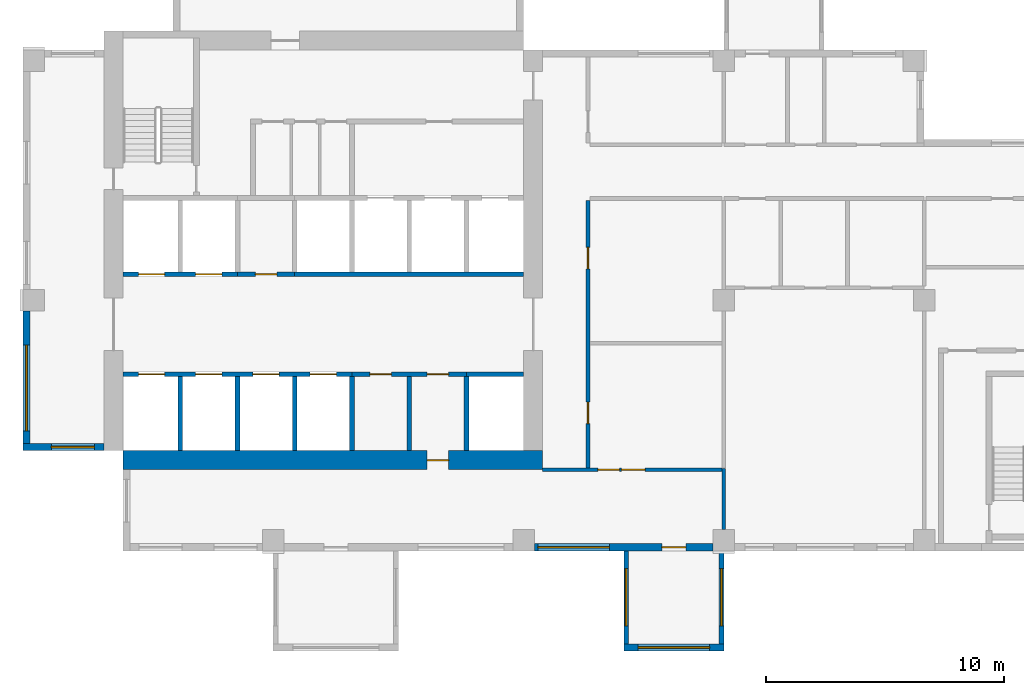
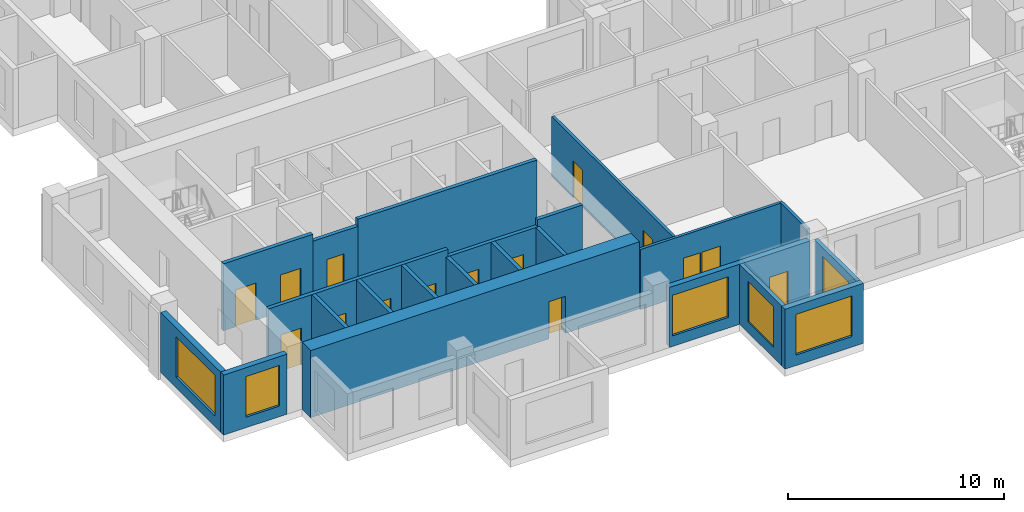
# One storey, part 2 of 12: 22 walls, 15 doors, 6 windows, 21 openings.
"""IFC4 building model written with IfcOpenShell, lengths in metres."""

from ifc_helpers import new_model, si_unit, direction, frame, frame_2d, origin, place, context, subcontext, project, spatial, rectangle, extrude, source, transform, mapped, material, layer, layer_set, type_object, element, fill, save


model = new_model("IFC4")

# Units and contexts
model_context = context("Model", 3, precision=1e-05, world=origin(), true_north=direction((0.0, 1.0)))
body_context = subcontext(model_context, "Body", "Model", "MODEL_VIEW")
ifc_project = project(units=[si_unit("LENGTHUNIT", "METRE"), si_unit("AREAUNIT", "SQUARE_METRE"), si_unit("VOLUMEUNIT", "CUBIC_METRE"), si_unit("PLANEANGLEUNIT", "RADIAN"), si_unit("MASSUNIT", "GRAM", prefix="KILO")], contexts=[model_context])

# Site, building, storey
site_placement = place(None, origin())
site = spatial("IfcSite", under=ifc_project, at=site_placement, CompositionType="ELEMENT")
building_placement = place(site_placement, origin())
building = spatial("IfcBuilding", under=site, at=building_placement, Name="Aurelian Terraces", CompositionType="ELEMENT")
storey_placement = place(building_placement, frame((0.0, 0.0, 196.8)))
storey = spatial("IfcBuildingStorey", under=building, at=storey_placement, Name="L43", CompositionType="ELEMENT", Elevation=196.8)

# Wall, openings, doors
ifc_material_1 = material(Name="Gypsum board on steel studs", Category="steel")
ifc_layer_1 = layer(ifc_material_1, 0.15)
ifc_layer_set_1 = layer_set([ifc_layer_1], Name="Partition 150")
wall_type_1 = type_object("IfcWallType", Name="Partition 150", PredefinedType="PARTITIONING", material=ifc_layer_set_1)
wall_1_placement = place(storey_placement, frame((23.7, 14.7, 0.0), z_axis=(0.0, 0.0, 1.0), x_axis=(0.0, -1.0, 0.0)))
wall_1 = element("IfcWall", 1, at=wall_1_placement, inside=storey, type_object=wall_type_1, Name="Partition", PredefinedType="PARTITIONING", context=body_context, shape_type="SweptSolid", body=[
    extrude(rectangle(XDim=11.225, YDim=0.15, at=frame_2d((5.6125, 0.0))), origin(), (0.0, 0.0, 1.0), 3.4),
])
shared_shape_1 = source(origin(), body_context, "Body", "SweptSolid", [
    extrude(rectangle(XDim=0.9, YDim=2.1, at=frame_2d((0.45, 1.05))), frame((0.0, 0.085, 0.0), z_axis=(0.0, -1.0, 0.0), x_axis=(1.0, 0.0, 0.0)), (0.0, 0.0, 1.0), 0.17),
])
opening_1_placement = place(wall_1_placement, frame((8.4625, 0.0, 0.0)))
opening_1 = element("IfcOpeningElement", 2, at=opening_1_placement, cuts=wall_1, Name="Opening 743001", PredefinedType="OPENING", context=body_context, shape_type="MappedRepresentation", body=[
    mapped(shared_shape_1, transform((0.0, 0.0, 0.0), scale=1.0)),
])
opening_2_placement = place(wall_1_placement, frame((1.975, 0.0, 0.0)))
opening_2 = element("IfcOpeningElement", 3, at=opening_2_placement, cuts=wall_1, Name="Opening 743002", PredefinedType="OPENING", context=body_context, shape_type="MappedRepresentation", body=[
    mapped(shared_shape_1, transform((0.0, 0.0, 0.0), scale=1.0)),
])
ifc_material_2 = material(Name="Timber door leaf", Category="wood")
door_type_1 = type_object("IfcDoorType", Name="Room door 900x2100 right", OperationType="SINGLE_SWING_RIGHT", PredefinedType="DOOR", material=ifc_material_2)
shared_shape_2 = source(origin(), body_context, "Body", "SweptSolid", [
    extrude(rectangle(XDim=0.9, YDim=2.1, at=frame_2d((0.45, 1.05))), frame((0.0, 0.025, 0.0), z_axis=(0.0, -1.0, 0.0), x_axis=(1.0, 0.0, 0.0)), (0.0, 0.0, 1.0), 0.05),
])
door_1_placement = place(opening_1_placement, origin())
door_1 = element("IfcDoor", 4, at=door_1_placement, inside=storey, type_object=door_type_1, Name="Door 743001", OperationType="SINGLE_SWING_RIGHT", OverallHeight=2.1, OverallWidth=0.9, PredefinedType="DOOR", context=body_context, shape_type="MappedRepresentation", body=[
    mapped(shared_shape_2, transform((0.0, 0.0, 0.0), scale=1.0)),
])
fill(opening_1, door_1)
door_type_2 = type_object("IfcDoorType", Name="Room door 900x2100 left", OperationType="SINGLE_SWING_LEFT", PredefinedType="DOOR", material=ifc_material_2)
door_2_placement = place(opening_2_placement, origin())
door_2 = element("IfcDoor", 5, at=door_2_placement, inside=storey, type_object=door_type_2, Name="Door 743002", OperationType="SINGLE_SWING_LEFT", OverallHeight=2.1, OverallWidth=0.9, PredefinedType="DOOR", context=body_context, shape_type="MappedRepresentation", body=[
    mapped(shared_shape_2, transform((0.0, 0.0, 0.0), scale=1.0)),
])
fill(opening_2, door_2)

# Wall, opening, door
ifc_material_3 = material(Name="Concrete fc' 70 MPa", Category="concrete")
ifc_layer_2 = layer(ifc_material_3, 0.8)
ifc_layer_set_2 = layer_set([ifc_layer_2], Name="CORE WALL 800 FC70")
wall_type_2 = type_object("IfcWallType", Name="CORE WALL 800 FC70", PredefinedType="SHEAR", material=ifc_layer_set_2)
shared_shape_3 = source(origin(), body_context, "Body", "SweptSolid", [
    extrude(rectangle(XDim=17.6, YDim=0.8, at=frame_2d((8.8, 0.0))), origin(), (0.0, 0.0, 1.0), 3.8),
])
wall_2_placement = place(storey_placement, frame((4.2, 3.8, 0.0), z_axis=(0.0, 0.0, 1.0), x_axis=(1.0, 0.0, 0.0)))
wall_2 = element("IfcWall", 6, at=wall_2_placement, inside=storey, type_object=wall_type_2, Name="Core wall S L43", PredefinedType="SHEAR", context=body_context, shape_type="MappedRepresentation", body=[
    mapped(shared_shape_3, transform((0.0, 0.0, 0.0), scale=1.0)),
])
shared_shape_4 = source(origin(), body_context, "Body", "SweptSolid", [
    extrude(rectangle(XDim=0.9, YDim=2.1, at=frame_2d((0.45, 1.05))), frame((0.0, 0.41, 0.0), z_axis=(0.0, -1.0, 0.0), x_axis=(1.0, 0.0, 0.0)), (0.0, 0.0, 1.0), 0.82),
])
opening_3_placement = place(wall_2_placement, frame((12.75, 0.0, 0.0)))
opening_3 = element("IfcOpeningElement", 7, at=opening_3_placement, cuts=wall_2, Name="Opening 64627", PredefinedType="OPENING", context=body_context, shape_type="MappedRepresentation", body=[
    mapped(shared_shape_4, transform((0.0, 0.0, 0.0), scale=1.0)),
])
ifc_material_4 = material(Name="Steel door leaf", Category="steel")
door_type_3 = type_object("IfcDoorType", Name="Core service door 900x2100", OperationType="SINGLE_SWING_LEFT", PredefinedType="DOOR", material=ifc_material_4)
door_3_placement = place(opening_3_placement, origin())
door_3 = element("IfcDoor", 8, at=door_3_placement, inside=storey, type_object=door_type_3, Name="Core door 64627", OperationType="SINGLE_SWING_LEFT", OverallHeight=2.1, OverallWidth=0.9, PredefinedType="DOOR", context=body_context, shape_type="MappedRepresentation", body=[
    mapped(shared_shape_2, transform((0.0, 0.0, 0.0), scale=1.0)),
])
fill(opening_3, door_3)

# Wall, openings, window, door
ifc_material_5 = material(Name="Terracotta rainscreen cladding", Category="masonry")
ifc_layer_3 = layer(ifc_material_5, 0.3)
ifc_layer_set_3 = layer_set([ifc_layer_3], Name="EW-300")
wall_type_3 = type_object("IfcWallType", Name="EW-300", PredefinedType="STANDARD", material=ifc_layer_set_3)
shared_shape_5 = source(origin(), body_context, "Body", "SweptSolid", [
    extrude(rectangle(XDim=7.5, YDim=0.3, at=frame_2d((3.75, 0.0))), origin(), (0.0, 0.0, 1.0), 3.4),
])
wall_3_placement = place(storey_placement, frame((21.45, 0.15, 0.0), z_axis=(0.0, 0.0, 1.0), x_axis=(1.0, 0.0, 0.0)))
wall_3 = element("IfcWall", 9, at=wall_3_placement, inside=storey, type_object=wall_type_3, Name="External wall L43 F01.3", PredefinedType="STANDARD", context=body_context, shape_type="MappedRepresentation", body=[
    mapped(shared_shape_5, transform((0.0, 0.0, 0.0), scale=1.0)),
])
shared_shape_6 = source(origin(), body_context, "Body", "SweptSolid", [
    extrude(rectangle(XDim=3.0, YDim=2.3, at=frame_2d((1.5, 1.15))), frame((0.0, 0.16, 0.0), z_axis=(0.0, -1.0, 0.0), x_axis=(1.0, 0.0, 0.0)), (0.0, 0.0, 1.0), 0.32),
])
opening_4_placement = place(wall_3_placement, frame((0.15, 0.0, 0.6)))
opening_4 = element("IfcOpeningElement", 10, at=opening_4_placement, cuts=wall_3, Name="Opening W3023", PredefinedType="OPENING", context=body_context, shape_type="MappedRepresentation", body=[
    mapped(shared_shape_6, transform((0.0, 0.0, 0.0), scale=1.0)),
])
shared_shape_7 = source(origin(), body_context, "Body", "SweptSolid", [
    extrude(rectangle(XDim=1.0, YDim=2.1, at=frame_2d((0.5, 1.05))), frame((0.0, 0.16, 0.0), z_axis=(0.0, -1.0, 0.0), x_axis=(1.0, 0.0, 0.0)), (0.0, 0.0, 1.0), 0.32),
])
opening_5_placement = place(wall_3_placement, frame((5.35, 0.0, 0.0)))
opening_5 = element("IfcOpeningElement", 11, at=opening_5_placement, cuts=wall_3, Name="Opening 843001", PredefinedType="OPENING", context=body_context, shape_type="MappedRepresentation", body=[
    mapped(shared_shape_7, transform((0.0, 0.0, 0.0), scale=1.0)),
])
ifc_material_6 = material(Name="Clear glazing", Category="glass")
window_type_1 = type_object("IfcWindowType", Name="W-3000x2300", PartitioningType="SINGLE_PANEL", PredefinedType="WINDOW", material=ifc_material_6)
shared_shape_8 = source(origin(), body_context, "Body", "SweptSolid", [
    extrude(rectangle(XDim=3.0, YDim=2.3, at=frame_2d((1.5, 1.15))), frame((0.0, 0.03, 0.0), z_axis=(0.0, -1.0, 0.0), x_axis=(1.0, 0.0, 0.0)), (0.0, 0.0, 1.0), 0.06),
])
window_1_placement = place(opening_4_placement, origin())
window_1 = element("IfcWindow", 12, at=window_1_placement, inside=storey, type_object=window_type_1, Name="Window L43 L43-F01-03-0", OverallHeight=2.3, OverallWidth=3.0, PartitioningType="SINGLE_PANEL", PredefinedType="WINDOW", context=body_context, shape_type="MappedRepresentation", body=[
    mapped(shared_shape_8, transform((0.0, 0.0, 0.0), scale=1.0)),
])
fill(opening_4, window_1)
door_type_4 = type_object("IfcDoorType", Name="Room door 1000x2100 left", OperationType="SINGLE_SWING_LEFT", PredefinedType="DOOR", material=ifc_material_2)
shared_shape_9 = source(origin(), body_context, "Body", "SweptSolid", [
    extrude(rectangle(XDim=1.0, YDim=2.1, at=frame_2d((0.5, 1.05))), frame((0.0, 0.025, 0.0), z_axis=(0.0, -1.0, 0.0), x_axis=(1.0, 0.0, 0.0)), (0.0, 0.0, 1.0), 0.05),
])
door_4_placement = place(opening_5_placement, origin())
door_4 = element("IfcDoor", 13, at=door_4_placement, inside=storey, type_object=door_type_4, Name="Door 843001", OperationType="SINGLE_SWING_LEFT", OverallHeight=2.1, OverallWidth=1.0, PredefinedType="DOOR", context=body_context, shape_type="MappedRepresentation", body=[
    mapped(shared_shape_9, transform((0.0, 0.0, 0.0), scale=1.0)),
])
fill(opening_5, door_4)

# Wall, opening, window
shared_shape_10 = source(origin(), body_context, "Body", "SweptSolid", [
    extrude(rectangle(XDim=3.4, YDim=0.3, at=frame_2d((1.7, 0.0))), origin(), (0.0, 0.0, 1.0), 3.4),
])
wall_4_placement = place(storey_placement, frame((0.0, 4.35, 0.0), z_axis=(0.0, 0.0, 1.0), x_axis=(1.0, 0.0, 0.0)))
wall_4 = element("IfcWall", 14, at=wall_4_placement, inside=storey, type_object=wall_type_3, Name="External wall L43 F21.35", PredefinedType="STANDARD", context=body_context, shape_type="MappedRepresentation", body=[
    mapped(shared_shape_10, transform((0.0, 0.0, 0.0), scale=1.0)),
])
shared_shape_11 = source(origin(), body_context, "Body", "SweptSolid", [
    extrude(rectangle(XDim=1.8, YDim=2.3, at=frame_2d((0.9, 1.15))), frame((0.0, 0.16, 0.0), z_axis=(0.0, -1.0, 0.0), x_axis=(1.0, 0.0, 0.0)), (0.0, 0.0, 1.0), 0.32),
])
opening_6_placement = place(wall_4_placement, frame((1.2, 0.0, 0.6)))
opening_6 = element("IfcOpeningElement", 15, at=opening_6_placement, cuts=wall_4, Name="Opening W1823", PredefinedType="OPENING", context=body_context, shape_type="MappedRepresentation", body=[
    mapped(shared_shape_11, transform((0.0, 0.0, 0.0), scale=1.0)),
])
window_type_2 = type_object("IfcWindowType", Name="W-1800x2300", PartitioningType="SINGLE_PANEL", PredefinedType="WINDOW", material=ifc_material_6)
shared_shape_12 = source(origin(), body_context, "Body", "SweptSolid", [
    extrude(rectangle(XDim=1.8, YDim=2.3, at=frame_2d((0.9, 1.15))), frame((0.0, 0.03, 0.0), z_axis=(0.0, -1.0, 0.0), x_axis=(1.0, 0.0, 0.0)), (0.0, 0.0, 1.0), 0.06),
])
window_2_placement = place(opening_6_placement, origin())
window_2 = element("IfcWindow", 16, at=window_2_placement, inside=storey, type_object=window_type_2, Name="Window L43 L43-F21-35-0", OverallHeight=2.3, OverallWidth=1.8, PartitioningType="SINGLE_PANEL", PredefinedType="WINDOW", context=body_context, shape_type="MappedRepresentation", body=[
    mapped(shared_shape_12, transform((0.0, 0.0, 0.0), scale=1.0)),
])
fill(opening_6, window_2)

ifc_material_7 = material(Name="Concrete fc' 40 MPa", Category="concrete")
ifc_layer_4 = layer(ifc_material_7, 0.2)
ifc_layer_set_4 = layer_set([ifc_layer_4], Name="BOX BEARING WALL 200")
wall_type_4 = type_object("IfcWallType", Name="BOX BEARING WALL 200", PredefinedType="SOLIDWALL", material=ifc_layer_set_4)
shared_shape_13 = source(origin(), body_context, "Body", "SweptSolid", [
    extrude(rectangle(XDim=3.9, YDim=0.2, at=frame_2d((1.95, 0.0))), origin(), (0.0, 0.0, 1.0), 3.4),
])
wall_5_placement = place(storey_placement, frame((25.3, 0.0, 0.0), z_axis=(0.0, 0.0, 1.0), x_axis=(0.0, -1.0, 0.0)))
wall_5 = element("IfcWall", 17, at=wall_5_placement, inside=storey, type_object=wall_type_4, Name="Box return L43 J58.1", PredefinedType="SOLIDWALL", context=body_context, shape_type="MappedRepresentation", body=[
    mapped(shared_shape_13, transform((0.0, 0.0, 0.0), scale=1.0)),
])
shared_shape_14 = source(origin(), body_context, "Body", "SweptSolid", [
    extrude(rectangle(XDim=2.4, YDim=2.3, at=frame_2d((1.2, 1.15))), frame((0.0, 0.11, 0.0), z_axis=(0.0, -1.0, 0.0), x_axis=(1.0, 0.0, 0.0)), (0.0, 0.0, 1.0), 0.22),
])
opening_7_placement = place(wall_5_placement, frame((0.75, 0.0, 0.6)))
opening_7 = element("IfcOpeningElement", 18, at=opening_7_placement, cuts=wall_5, Name="Opening W2423", PredefinedType="OPENING", context=body_context, shape_type="MappedRepresentation", body=[
    mapped(shared_shape_14, transform((0.0, 0.0, 0.0), scale=1.0)),
])
window_type_3 = type_object("IfcWindowType", Name="W-2400x2300", PartitioningType="SINGLE_PANEL", PredefinedType="WINDOW", material=ifc_material_6)
shared_shape_15 = source(origin(), body_context, "Body", "SweptSolid", [
    extrude(rectangle(XDim=2.4, YDim=2.3, at=frame_2d((1.2, 1.15))), frame((0.0, 0.03, 0.0), z_axis=(0.0, -1.0, 0.0), x_axis=(1.0, 0.0, 0.0)), (0.0, 0.0, 1.0), 0.06),
])
window_3_placement = place(opening_7_placement, origin())
window_3 = element("IfcWindow", 19, at=window_3_placement, inside=storey, type_object=window_type_3, Name="Window L43 J58-S1", OverallHeight=2.3, OverallWidth=2.4, PartitioningType="SINGLE_PANEL", PredefinedType="WINDOW", context=body_context, shape_type="MappedRepresentation", body=[
    mapped(shared_shape_15, transform((0.0, 0.0, 0.0), scale=1.0)),
])
fill(opening_7, window_3)

wall_6_placement = place(storey_placement, frame((29.3, 0.0, 0.0), z_axis=(0.0, 0.0, 1.0), x_axis=(0.0, -1.0, 0.0)))
wall_6 = element("IfcWall", 20, at=wall_6_placement, inside=storey, type_object=wall_type_4, Name="Box return L43 J58.2", PredefinedType="SOLIDWALL", context=body_context, shape_type="MappedRepresentation", body=[
    mapped(shared_shape_13, transform((0.0, 0.0, 0.0), scale=1.0)),
])
opening_8_placement = place(wall_6_placement, frame((0.75, 0.0, 0.6)))
opening_8 = element("IfcOpeningElement", 21, at=opening_8_placement, cuts=wall_6, Name="Opening W2423", PredefinedType="OPENING", context=body_context, shape_type="MappedRepresentation", body=[
    mapped(shared_shape_14, transform((0.0, 0.0, 0.0), scale=1.0)),
])
window_4_placement = place(opening_8_placement, origin())
window_4 = element("IfcWindow", 22, at=window_4_placement, inside=storey, type_object=window_type_3, Name="Window L43 J58-S2", OverallHeight=2.3, OverallWidth=2.4, PartitioningType="SINGLE_PANEL", PredefinedType="WINDOW", context=body_context, shape_type="MappedRepresentation", body=[
    mapped(shared_shape_15, transform((0.0, 0.0, 0.0), scale=1.0)),
])
fill(opening_8, window_4)

ifc_layer_5 = layer(ifc_material_7, 0.3)
ifc_layer_set_5 = layer_set([ifc_layer_5], Name="BOX BEARING WALL 300")
wall_type_5 = type_object("IfcWallType", Name="BOX BEARING WALL 300", PredefinedType="SOLIDWALL", material=ifc_layer_set_5)
shared_shape_16 = source(origin(), body_context, "Body", "SweptSolid", [
    extrude(rectangle(XDim=4.2, YDim=0.3, at=frame_2d((2.1, 0.0))), origin(), (0.0, 0.0, 1.0), 3.4),
])
wall_7_placement = place(storey_placement, frame((25.2, -4.05, 0.0), z_axis=(0.0, 0.0, 1.0), x_axis=(1.0, 0.0, 0.0)))
wall_7 = element("IfcWall", 23, at=wall_7_placement, inside=storey, type_object=wall_type_5, Name="Box wall L43 J58", PredefinedType="SOLIDWALL", context=body_context, shape_type="MappedRepresentation", body=[
    mapped(shared_shape_16, transform((0.0, 0.0, 0.0), scale=1.0)),
])
opening_9_placement = place(wall_7_placement, frame((0.6, 0.0, 0.6)))
opening_9 = element("IfcOpeningElement", 24, at=opening_9_placement, cuts=wall_7, Name="Opening W3023", PredefinedType="OPENING", context=body_context, shape_type="MappedRepresentation", body=[
    mapped(shared_shape_6, transform((0.0, 0.0, 0.0), scale=1.0)),
])
window_5_placement = place(opening_9_placement, origin())
window_5 = element("IfcWindow", 25, at=window_5_placement, inside=storey, type_object=window_type_1, Name="Window L43 J58-F1", OverallHeight=2.3, OverallWidth=3.0, PartitioningType="SINGLE_PANEL", PredefinedType="WINDOW", context=body_context, shape_type="MappedRepresentation", body=[
    mapped(shared_shape_8, transform((0.0, 0.0, 0.0), scale=1.0)),
])
fill(opening_9, window_5)

shared_shape_17 = source(origin(), body_context, "Body", "SweptSolid", [
    extrude(rectangle(XDim=5.85, YDim=0.3, at=frame_2d((2.925, 0.0))), origin(), (0.0, 0.0, 1.0), 3.4),
])
wall_8_placement = place(storey_placement, frame((0.15, 10.05, 0.0), z_axis=(0.0, 0.0, 1.0), x_axis=(0.0, -1.0, 0.0)))
wall_8 = element("IfcWall", 26, at=wall_8_placement, inside=storey, type_object=wall_type_3, Name="External wall L43 F20.34", PredefinedType="STANDARD", context=body_context, shape_type="MappedRepresentation", body=[
    mapped(shared_shape_17, transform((0.0, 0.0, 0.0), scale=1.0)),
])
shared_shape_18 = source(origin(), body_context, "Body", "SweptSolid", [
    extrude(rectangle(XDim=3.6, YDim=2.3, at=frame_2d((1.8, 1.15))), frame((0.0, 0.16, 0.0), z_axis=(0.0, -1.0, 0.0), x_axis=(1.0, 0.0, 0.0)), (0.0, 0.0, 1.0), 0.32),
])
opening_10_placement = place(wall_8_placement, frame((1.425, 0.0, 0.6)))
opening_10 = element("IfcOpeningElement", 27, at=opening_10_placement, cuts=wall_8, Name="Opening W3623", PredefinedType="OPENING", context=body_context, shape_type="MappedRepresentation", body=[
    mapped(shared_shape_18, transform((0.0, 0.0, 0.0), scale=1.0)),
])
window_type_4 = type_object("IfcWindowType", Name="W-3600x2300", PartitioningType="SINGLE_PANEL", PredefinedType="WINDOW", material=ifc_material_6)
shared_shape_19 = source(origin(), body_context, "Body", "SweptSolid", [
    extrude(rectangle(XDim=3.6, YDim=2.3, at=frame_2d((1.8, 1.15))), frame((0.0, 0.03, 0.0), z_axis=(0.0, -1.0, 0.0), x_axis=(1.0, 0.0, 0.0)), (0.0, 0.0, 1.0), 0.06),
])
window_6_placement = place(opening_10_placement, origin())
window_6 = element("IfcWindow", 28, at=window_6_placement, inside=storey, type_object=window_type_4, Name="Window L43 L43-F20-34-3", OverallHeight=2.3, OverallWidth=3.6, PartitioningType="SINGLE_PANEL", PredefinedType="WINDOW", context=body_context, shape_type="MappedRepresentation", body=[
    mapped(shared_shape_19, transform((0.0, 0.0, 0.0), scale=1.0)),
])
fill(opening_10, window_6)

# Walls
ifc_layer_6 = layer(ifc_material_7, 0.2)
ifc_layer_set_6 = layer_set([ifc_layer_6], Name="Lift shaft wall 200")
wall_type_6 = type_object("IfcWallType", Name="Lift shaft wall 200", PredefinedType="SOLIDWALL", material=ifc_layer_set_6)
shared_shape_20 = source(origin(), body_context, "Body", "SweptSolid", [
    extrude(rectangle(XDim=3.1, YDim=0.2, at=frame_2d((1.55, 0.0))), origin(), (0.0, 0.0, 1.0), 3.8),
])
for number, where, z_axis, x_axis, name in (
    (29, (6.6, 4.2, 0.0), (0.0, 0.0, 1.0), (0.0, 1.0, 0.0), "L43 core wall CD-A1"),
    (30, (9.0, 4.2, 0.0), (0.0, 0.0, 1.0), (0.0, 1.0, 0.0), "L43 core wall CD-A2"),
    (31, (11.4, 4.2, 0.0), (0.0, 0.0, 1.0), (0.0, 1.0, 0.0), "L43 core wall CD-A3"),
):
    element("IfcWall", number, at=place(storey_placement, frame(where, z_axis=z_axis, x_axis=x_axis)), inside=storey, type_object=wall_type_6, Name=name, PredefinedType="SOLIDWALL", context=body_context, shape_type="MappedRepresentation", body=[
        mapped(shared_shape_20, transform((0.0, 0.0, 0.0), scale=1.0)),
    ])
shared_shape_21 = source(origin(), body_context, "Body", "SweptSolid", [
    extrude(rectangle(XDim=3.1, YDim=0.2, at=frame_2d((1.55, 0.0))), origin(), (0.0, 0.0, 1.0), 3.4),
])
for number, where, z_axis, x_axis, name in (
    (32, (13.8, 4.2, 0.0), (0.0, 0.0, 1.0), (0.0, 1.0, 0.0), "L43 core wall CD-A4"),
    (33, (18.6, 4.2, 0.0), (0.0, 0.0, 1.0), (0.0, 1.0, 0.0), "L43 core wall CD-A6"),
):
    element("IfcWall", number, at=place(storey_placement, frame(where, z_axis=z_axis, x_axis=x_axis)), inside=storey, type_object=wall_type_6, Name=name, PredefinedType="SOLIDWALL", context=body_context, shape_type="MappedRepresentation", body=[
        mapped(shared_shape_21, transform((0.0, 0.0, 0.0), scale=1.0)),
    ])

# Wall, openings, doors
shared_shape_22 = source(origin(), body_context, "Body", "SweptSolid", [
    extrude(rectangle(XDim=9.6, YDim=0.2, at=frame_2d((4.8, 0.0))), origin(), (0.0, 0.0, 1.0), 3.8),
])
wall_9_placement = place(storey_placement, frame((4.2, 7.4, 0.0), z_axis=(0.0, 0.0, 1.0), x_axis=(1.0, 0.0, 0.0)))
wall_9 = element("IfcWall", 34, at=wall_9_placement, inside=storey, type_object=wall_type_6, Name="L43 core wall CF-AF1", PredefinedType="SOLIDWALL", context=body_context, shape_type="MappedRepresentation", body=[
    mapped(shared_shape_22, transform((0.0, 0.0, 0.0), scale=1.0)),
])
shared_shape_23 = source(origin(), body_context, "Body", "SweptSolid", [
    extrude(rectangle(XDim=1.1, YDim=2.1, at=frame_2d((0.55, 1.05))), frame((0.0, 0.11, 0.0), z_axis=(0.0, -1.0, 0.0), x_axis=(1.0, 0.0, 0.0)), (0.0, 0.0, 1.0), 0.22),
])
opening_11_placement = place(wall_9_placement, frame((0.65, 0.0, 0.0)))
opening_11 = element("IfcOpeningElement", 35, at=opening_11_placement, cuts=wall_9, Name="Opening 64600", PredefinedType="OPENING", context=body_context, shape_type="MappedRepresentation", body=[
    mapped(shared_shape_23, transform((0.0, 0.0, 0.0), scale=1.0)),
])
opening_12_placement = place(wall_9_placement, frame((3.05, 0.0, 0.0)))
opening_12 = element("IfcOpeningElement", 36, at=opening_12_placement, cuts=wall_9, Name="Opening 64601", PredefinedType="OPENING", context=body_context, shape_type="MappedRepresentation", body=[
    mapped(shared_shape_23, transform((0.0, 0.0, 0.0), scale=1.0)),
])
opening_13_placement = place(wall_9_placement, frame((5.45, 0.0, 0.0)))
opening_13 = element("IfcOpeningElement", 37, at=opening_13_placement, cuts=wall_9, Name="Opening 64602", PredefinedType="OPENING", context=body_context, shape_type="MappedRepresentation", body=[
    mapped(shared_shape_23, transform((0.0, 0.0, 0.0), scale=1.0)),
])
opening_14_placement = place(wall_9_placement, frame((7.85, 0.0, 0.0)))
opening_14 = element("IfcOpeningElement", 38, at=opening_14_placement, cuts=wall_9, Name="Opening 64603", PredefinedType="OPENING", context=body_context, shape_type="MappedRepresentation", body=[
    mapped(shared_shape_23, transform((0.0, 0.0, 0.0), scale=1.0)),
])
ifc_material_8 = material(Name="Stainless steel", Category="steel")
door_type_5 = type_object("IfcDoorType", Name="Lift landing door 1100x2100", OperationType="SLIDING_TO_LEFT", PredefinedType="DOOR", material=ifc_material_8)
shared_shape_24 = source(origin(), body_context, "Body", "SweptSolid", [
    extrude(rectangle(XDim=1.1, YDim=2.1, at=frame_2d((0.55, 1.05))), frame((0.0, 0.025, 0.0), z_axis=(0.0, -1.0, 0.0), x_axis=(1.0, 0.0, 0.0)), (0.0, 0.0, 1.0), 0.05),
])
door_5_placement = place(opening_11_placement, origin())
door_5 = element("IfcDoor", 39, at=door_5_placement, inside=storey, type_object=door_type_5, Name="Lift landing door LM1 L43", OperationType="SLIDING_TO_LEFT", OverallHeight=2.1, OverallWidth=1.1, PredefinedType="DOOR", context=body_context, shape_type="MappedRepresentation", body=[
    mapped(shared_shape_24, transform((0.0, 0.0, 0.0), scale=1.0)),
])
fill(opening_11, door_5)
door_6_placement = place(opening_12_placement, origin())
door_6 = element("IfcDoor", 40, at=door_6_placement, inside=storey, type_object=door_type_5, Name="Lift landing door LM2 L43", OperationType="SLIDING_TO_LEFT", OverallHeight=2.1, OverallWidth=1.1, PredefinedType="DOOR", context=body_context, shape_type="MappedRepresentation", body=[
    mapped(shared_shape_24, transform((0.0, 0.0, 0.0), scale=1.0)),
])
fill(opening_12, door_6)
door_7_placement = place(opening_13_placement, origin())
door_7 = element("IfcDoor", 41, at=door_7_placement, inside=storey, type_object=door_type_5, Name="Lift landing door LM3 L43", OperationType="SLIDING_TO_LEFT", OverallHeight=2.1, OverallWidth=1.1, PredefinedType="DOOR", context=body_context, shape_type="MappedRepresentation", body=[
    mapped(shared_shape_24, transform((0.0, 0.0, 0.0), scale=1.0)),
])
fill(opening_13, door_7)
door_8_placement = place(opening_14_placement, origin())
door_8 = element("IfcDoor", 42, at=door_8_placement, inside=storey, type_object=door_type_5, Name="Lift landing door LM4 L43", OperationType="SLIDING_TO_LEFT", OverallHeight=2.1, OverallWidth=1.1, PredefinedType="DOOR", context=body_context, shape_type="MappedRepresentation", body=[
    mapped(shared_shape_24, transform((0.0, 0.0, 0.0), scale=1.0)),
])
fill(opening_14, door_8)

# Wall
wall_10_placement = place(storey_placement, frame((11.4, 11.6, 0.0), z_axis=(0.0, 0.0, 1.0), x_axis=(1.0, 0.0, 0.0)))
element("IfcWall", 43, at=wall_10_placement, inside=storey, type_object=wall_type_6, Name="L43 core wall CF-BF3", PredefinedType="SOLIDWALL", context=body_context, shape_type="MappedRepresentation", body=[
    mapped(shared_shape_22, transform((0.0, 0.0, 0.0), scale=1.0)),
])

# Wall, openings, doors
shared_shape_25 = source(origin(), body_context, "Body", "SweptSolid", [
    extrude(rectangle(XDim=4.8, YDim=0.2, at=frame_2d((2.4, 0.0))), origin(), (0.0, 0.0, 1.0), 3.8),
])
wall_11_placement = place(storey_placement, frame((4.2, 11.6, 0.0), z_axis=(0.0, 0.0, 1.0), x_axis=(1.0, 0.0, 0.0)))
wall_11 = element("IfcWall", 44, at=wall_11_placement, inside=storey, type_object=wall_type_6, Name="L43 core wall CF-BF1", PredefinedType="SOLIDWALL", context=body_context, shape_type="MappedRepresentation", body=[
    mapped(shared_shape_25, transform((0.0, 0.0, 0.0), scale=1.0)),
])
opening_15_placement = place(wall_11_placement, frame((0.65, 0.0, 0.0)))
opening_15 = element("IfcOpeningElement", 45, at=opening_15_placement, cuts=wall_11, Name="Opening 64606", PredefinedType="OPENING", context=body_context, shape_type="MappedRepresentation", body=[
    mapped(shared_shape_23, transform((0.0, 0.0, 0.0), scale=1.0)),
])
opening_16_placement = place(wall_11_placement, frame((3.05, 0.0, 0.0)))
opening_16 = element("IfcOpeningElement", 46, at=opening_16_placement, cuts=wall_11, Name="Opening 64607", PredefinedType="OPENING", context=body_context, shape_type="MappedRepresentation", body=[
    mapped(shared_shape_23, transform((0.0, 0.0, 0.0), scale=1.0)),
])
door_9_placement = place(opening_15_placement, origin())
door_9 = element("IfcDoor", 47, at=door_9_placement, inside=storey, type_object=door_type_5, Name="Lift landing door LM5 L43", OperationType="SLIDING_TO_LEFT", OverallHeight=2.1, OverallWidth=1.1, PredefinedType="DOOR", context=body_context, shape_type="MappedRepresentation", body=[
    mapped(shared_shape_24, transform((0.0, 0.0, 0.0), scale=1.0)),
])
fill(opening_15, door_9)
door_10_placement = place(opening_16_placement, origin())
door_10 = element("IfcDoor", 48, at=door_10_placement, inside=storey, type_object=door_type_5, Name="Lift landing door LM6 L43", OperationType="SLIDING_TO_LEFT", OverallHeight=2.1, OverallWidth=1.1, PredefinedType="DOOR", context=body_context, shape_type="MappedRepresentation", body=[
    mapped(shared_shape_24, transform((0.0, 0.0, 0.0), scale=1.0)),
])
fill(opening_16, door_10)

# Wall, opening, door
shared_shape_26 = source(origin(), body_context, "Body", "SweptSolid", [
    extrude(rectangle(XDim=2.4, YDim=0.2, at=frame_2d((1.2, 0.0))), origin(), (0.0, 0.0, 1.0), 3.4),
])
wall_12_placement = place(storey_placement, frame((9.0, 11.6, 0.0), z_axis=(0.0, 0.0, 1.0), x_axis=(1.0, 0.0, 0.0)))
wall_12 = element("IfcWall", 49, at=wall_12_placement, inside=storey, type_object=wall_type_6, Name="L43 core wall CF-BF2", PredefinedType="SOLIDWALL", context=body_context, shape_type="MappedRepresentation", body=[
    mapped(shared_shape_26, transform((0.0, 0.0, 0.0), scale=1.0)),
])
shared_shape_27 = source(origin(), body_context, "Body", "SweptSolid", [
    extrude(rectangle(XDim=0.9, YDim=2.1, at=frame_2d((0.45, 1.05))), frame((0.0, 0.11, 0.0), z_axis=(0.0, -1.0, 0.0), x_axis=(1.0, 0.0, 0.0)), (0.0, 0.0, 1.0), 0.22),
])
opening_17_placement = place(wall_12_placement, frame((0.75, 0.0, 0.0)))
opening_17 = element("IfcOpeningElement", 50, at=opening_17_placement, cuts=wall_12, Name="Opening 64608", PredefinedType="OPENING", context=body_context, shape_type="MappedRepresentation", body=[
    mapped(shared_shape_27, transform((0.0, 0.0, 0.0), scale=1.0)),
])
door_11_placement = place(opening_17_placement, origin())
door_11 = element("IfcDoor", 51, at=door_11_placement, inside=storey, type_object=door_type_3, Name="Room door 64608", OperationType="SINGLE_SWING_LEFT", OverallHeight=2.1, OverallWidth=0.9, PredefinedType="DOOR", context=body_context, shape_type="MappedRepresentation", body=[
    mapped(shared_shape_2, transform((0.0, 0.0, 0.0), scale=1.0)),
])
fill(opening_17, door_11)

# Wall, openings, doors
shared_shape_28 = source(origin(), body_context, "Body", "SweptSolid", [
    extrude(rectangle(XDim=4.8, YDim=0.2, at=frame_2d((2.4, 0.0))), origin(), (0.0, 0.0, 1.0), 3.4),
])
wall_13_placement = place(storey_placement, frame((13.8, 7.4, 0.0), z_axis=(0.0, 0.0, 1.0), x_axis=(1.0, 0.0, 0.0)))
wall_13 = element("IfcWall", 52, at=wall_13_placement, inside=storey, type_object=wall_type_6, Name="L43 core wall CF-AF2", PredefinedType="SOLIDWALL", context=body_context, shape_type="MappedRepresentation", body=[
    mapped(shared_shape_28, transform((0.0, 0.0, 0.0), scale=1.0)),
])
opening_18_placement = place(wall_13_placement, frame((0.75, 0.0, 0.0)))
opening_18 = element("IfcOpeningElement", 53, at=opening_18_placement, cuts=wall_13, Name="Opening 64604", PredefinedType="OPENING", context=body_context, shape_type="MappedRepresentation", body=[
    mapped(shared_shape_27, transform((0.0, 0.0, 0.0), scale=1.0)),
])
opening_19_placement = place(wall_13_placement, frame((3.15, 0.0, 0.0)))
opening_19 = element("IfcOpeningElement", 54, at=opening_19_placement, cuts=wall_13, Name="Opening 64605", PredefinedType="OPENING", context=body_context, shape_type="MappedRepresentation", body=[
    mapped(shared_shape_27, transform((0.0, 0.0, 0.0), scale=1.0)),
])
door_12_placement = place(opening_18_placement, origin())
door_12 = element("IfcDoor", 55, at=door_12_placement, inside=storey, type_object=door_type_3, Name="Room door 64604", OperationType="SINGLE_SWING_LEFT", OverallHeight=2.1, OverallWidth=0.9, PredefinedType="DOOR", context=body_context, shape_type="MappedRepresentation", body=[
    mapped(shared_shape_2, transform((0.0, 0.0, 0.0), scale=1.0)),
])
fill(opening_18, door_12)
door_type_6 = type_object("IfcDoorType", Name="Core service door 900x2100 right", OperationType="SINGLE_SWING_RIGHT", PredefinedType="DOOR", material=ifc_material_4)
door_13_placement = place(opening_19_placement, origin())
door_13 = element("IfcDoor", 56, at=door_13_placement, inside=storey, type_object=door_type_6, Name="Room door 64605", OperationType="SINGLE_SWING_RIGHT", OverallHeight=2.1, OverallWidth=0.9, PredefinedType="DOOR", context=body_context, shape_type="MappedRepresentation", body=[
    mapped(shared_shape_2, transform((0.0, 0.0, 0.0), scale=1.0)),
])
fill(opening_19, door_13)

# Walls
shared_shape_29 = source(origin(), body_context, "Body", "SweptSolid", [
    extrude(rectangle(XDim=2.4, YDim=0.2, at=frame_2d((1.2, 0.0))), origin(), (0.0, 0.0, 1.0), 3.8),
])
wall_14_placement = place(storey_placement, frame((18.6, 7.4, 0.0), z_axis=(0.0, 0.0, 1.0), x_axis=(1.0, 0.0, 0.0)))
element("IfcWall", 57, at=wall_14_placement, inside=storey, type_object=wall_type_6, Name="L43 core wall CF-AF3", PredefinedType="SOLIDWALL", context=body_context, shape_type="MappedRepresentation", body=[
    mapped(shared_shape_29, transform((0.0, 0.0, 0.0), scale=1.0)),
])
ifc_layer_7 = layer(ifc_material_1, 0.2)
ifc_layer_set_7 = layer_set([ifc_layer_7], Name="Core partition 200")
wall_type_7 = type_object("IfcWallType", Name="Core partition 200", PredefinedType="PARTITIONING", material=ifc_layer_set_7)
shared_shape_30 = source(origin(), body_context, "Body", "SweptSolid", [
    extrude(rectangle(XDim=3.1, YDim=0.2, at=frame_2d((1.55, 0.0))), origin(), (0.0, 0.0, 1.0), 3.4),
])
wall_15_placement = place(storey_placement, frame((16.2, 4.2, 0.0), z_axis=(0.0, 0.0, 1.0), x_axis=(0.0, 1.0, 0.0)))
element("IfcWall", 58, at=wall_15_placement, inside=storey, type_object=wall_type_7, Name="L43 core wall CS-A5", PredefinedType="PARTITIONING", context=body_context, shape_type="MappedRepresentation", body=[
    mapped(shared_shape_30, transform((0.0, 0.0, 0.0), scale=1.0)),
])
ifc_layer_8 = layer(ifc_material_1, 0.15)
ifc_layer_set_8 = layer_set([ifc_layer_8], Name="Fire partition 150")
wall_type_8 = type_object("IfcWallType", Name="Fire partition 150", PredefinedType="PARTITIONING", material=ifc_layer_set_8)
shared_shape_31 = source(origin(), body_context, "Body", "SweptSolid", [
    extrude(rectangle(XDim=2.556, YDim=0.15, at=frame_2d((1.278, 0.0))), origin(), (0.0, 0.0, 1.0), 3.4),
])
wall_16_placement = place(storey_placement, frame((29.4, 0.899, 0.0), z_axis=(0.0, 0.0, 1.0), x_axis=(0.0, 1.0, 0.0)))
element("IfcWall", 59, at=wall_16_placement, inside=storey, type_object=wall_type_8, Name="Party wall", PredefinedType="PARTITIONING", context=body_context, shape_type="MappedRepresentation", body=[
    mapped(shared_shape_31, transform((0.0, 0.0, 0.0), scale=1.0)),
])

# Wall, openings, doors
shared_shape_32 = source(origin(), body_context, "Body", "SweptSolid", [
    extrude(rectangle(XDim=7.525, YDim=0.15, at=frame_2d((3.7625, 0.0))), origin(), (0.0, 0.0, 1.0), 3.4),
])
wall_17_placement = place(storey_placement, frame((21.8, 3.4, 0.0), z_axis=(0.0, 0.0, 1.0), x_axis=(1.0, 0.0, 0.0)))
wall_17 = element("IfcWall", 60, at=wall_17_placement, inside=storey, type_object=wall_type_1, Name="Partition", PredefinedType="PARTITIONING", context=body_context, shape_type="MappedRepresentation", body=[
    mapped(shared_shape_32, transform((0.0, 0.0, 0.0), scale=1.0)),
])
shared_shape_33 = source(origin(), body_context, "Body", "SweptSolid", [
    extrude(rectangle(XDim=1.0, YDim=2.1, at=frame_2d((0.5, 1.05))), frame((0.0, 0.085, 0.0), z_axis=(0.0, -1.0, 0.0), x_axis=(1.0, 0.0, 0.0)), (0.0, 0.0, 1.0), 0.17),
])
opening_20_placement = place(wall_17_placement, frame((3.3, 0.0, 0.0)))
opening_20 = element("IfcOpeningElement", 61, at=opening_20_placement, cuts=wall_17, Name="Opening 743004", PredefinedType="OPENING", context=body_context, shape_type="MappedRepresentation", body=[
    mapped(shared_shape_33, transform((0.0, 0.0, 0.0), scale=1.0)),
])
opening_21_placement = place(wall_17_placement, frame((2.312, 0.0, 0.0)))
opening_21 = element("IfcOpeningElement", 62, at=opening_21_placement, cuts=wall_17, Name="Opening 743037", PredefinedType="OPENING", context=body_context, shape_type="MappedRepresentation", body=[
    mapped(shared_shape_1, transform((0.0, 0.0, 0.0), scale=1.0)),
])
door_14_placement = place(opening_20_placement, origin())
door_14 = element("IfcDoor", 63, at=door_14_placement, inside=storey, type_object=door_type_4, Name="Door 743004", OperationType="SINGLE_SWING_LEFT", OverallHeight=2.1, OverallWidth=1.0, PredefinedType="DOOR", context=body_context, shape_type="MappedRepresentation", body=[
    mapped(shared_shape_9, transform((0.0, 0.0, 0.0), scale=1.0)),
])
fill(opening_20, door_14)
door_15_placement = place(opening_21_placement, origin())
door_15 = element("IfcDoor", 64, at=door_15_placement, inside=storey, type_object=door_type_2, Name="Door 743037", OperationType="SINGLE_SWING_LEFT", OverallHeight=2.1, OverallWidth=0.9, PredefinedType="DOOR", context=body_context, shape_type="MappedRepresentation", body=[
    mapped(shared_shape_2, transform((0.0, 0.0, 0.0), scale=1.0)),
])
fill(opening_21, door_15)

save(model, "model.ifc")
